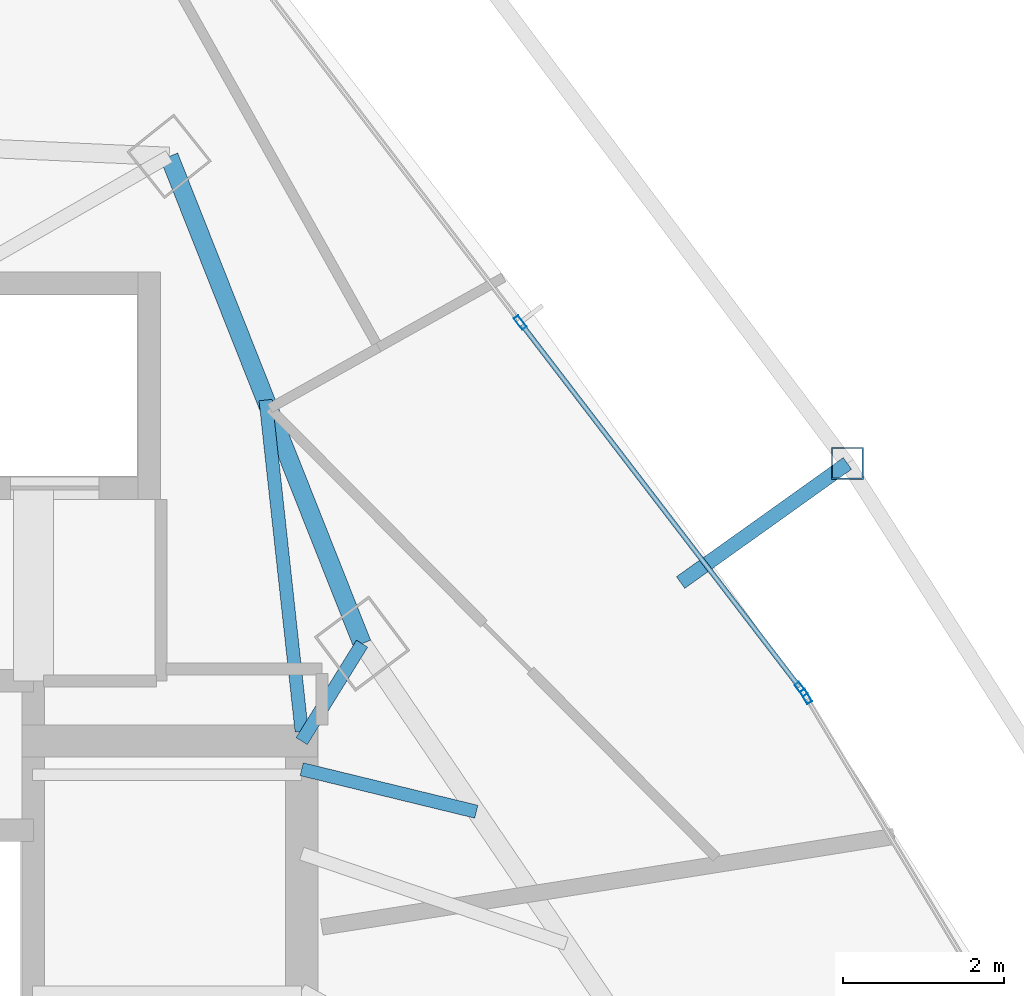
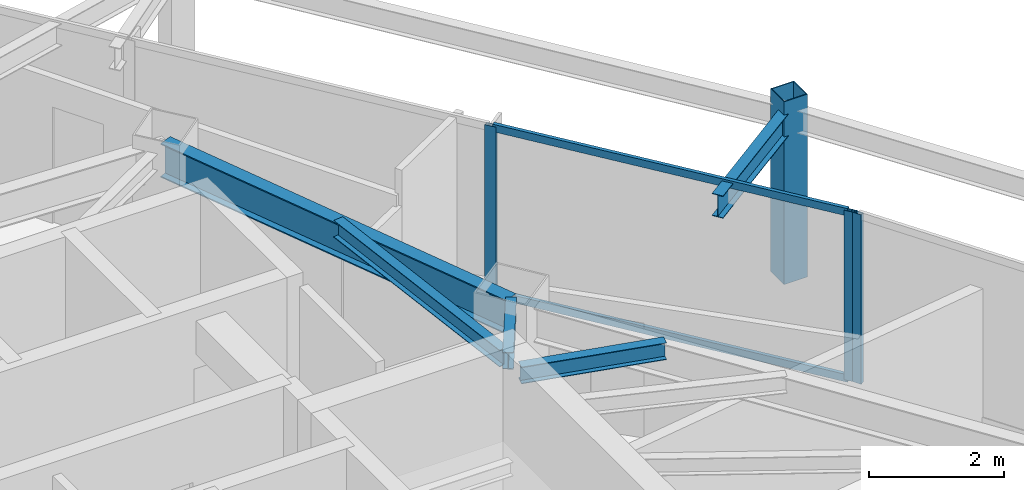
# One storey, part 25 of 33: 6 members, 5 beams, 2 elements without a shape of their own.
"""IFC4 building model written with IfcOpenShell, lengths in metres."""

from ifc_helpers import new_model, si_unit, direction, frame, origin, origin_2d, place, context, subcontext, project, spatial, hollow_rectangle, i_section, extrude, material, layer, layer_set, material_profile, profile_set, type_object, element, aggregate, save


model = new_model("IFC4")

# Units and contexts
model_context = context("Model", 3, precision=1e-05, world=origin(), true_north=direction((0.0, 1.0)))
body_context = subcontext(model_context, "Body", "Model", "MODEL_VIEW")
ifc_project = project(units=[si_unit("LENGTHUNIT", "METRE"), si_unit("AREAUNIT", "SQUARE_METRE"), si_unit("VOLUMEUNIT", "CUBIC_METRE"), si_unit("PLANEANGLEUNIT", "RADIAN"), si_unit("MASSUNIT", "GRAM", prefix="KILO")], contexts=[model_context])

# Site, building, storey
site_placement = place(None, origin())
site = spatial("IfcSite", under=ifc_project, at=site_placement, CompositionType="ELEMENT")
building_placement = place(site_placement, origin())
building = spatial("IfcBuilding", under=site, at=building_placement, Name="Orvanel Arch Residences", CompositionType="ELEMENT")
storey_placement = place(building_placement, frame((0.0, 0.0, 116.60009765625)))
storey = spatial("IfcBuildingStorey", under=building, at=storey_placement, Name="L32", CompositionType="ELEMENT", Elevation=116.60009765625)

# Beams
ifc_material_1 = material(Name="Structural steel AS/NZS 3679.1 Grade 300 (300 MPa)", Category="steel")
ifc_material_profile_1 = material_profile(ifc_material_1, i_section(OverallWidth=0.1650390625, OverallDepth=0.303955078125, WebThickness=0.006103515625, FlangeThickness=0.01025390625, at=origin_2d()), Name="310UB40.4")
ifc_profile_set_1 = profile_set([ifc_material_profile_1], Name="Structural steel AS/NZS 3679.1 Grade 300 (300 MPa)")
beam_type_1 = type_object("IfcBeamType", Name="BJ-310UB", PredefinedType="JOIST", material=ifc_profile_set_1)
beam_1_placement = place(storey_placement, frame((39.60009765625, 33.89990234375, 2.907958984375), z_axis=(0.526843290616, 0.84996243866, 0.0), x_axis=(-0.84996243866, 0.526843290616, 0.0)))
element("IfcBeam", 1, at=beam_1_placement, inside=storey, type_object=beam_type_1, Name="L32 NNE Wing Floor Joist", PredefinedType="JOIST", context=body_context, shape_type="SweptSolid", body=[
    extrude(i_section(OverallWidth=0.1650390625, OverallDepth=0.303955078125, WebThickness=0.006103515625, FlangeThickness=0.01025390625, at=origin_2d()), origin(), (0.0, 0.0, 1.0), 1.42724609375),
])
beam_2_placement = place(storey_placement, frame((39.60009765625, 34.02001953125, 2.907958984375), z_axis=(-0.108261441852, 0.99412245735, 0.0), x_axis=(-0.99412245735, -0.108261441852, 0.0)))
element("IfcBeam", 2, at=beam_2_placement, inside=storey, type_object=beam_type_1, Name="L32 NNE2 Wing Floor Joist", PredefinedType="JOIST", context=body_context, shape_type="SweptSolid", body=[
    extrude(i_section(OverallWidth=0.1650390625, OverallDepth=0.303955078125, WebThickness=0.006103515625, FlangeThickness=0.01025390625, at=origin_2d()), origin(), (0.0, 0.0, 1.0), 4.1494140625),
])
beam_3_placement = place(storey_placement, frame((39.60009765625, 33.550048828125, 2.907958984375), z_axis=(0.971638471014, -0.236471312521, 0.0), x_axis=(0.236471312521, 0.971638471014, 0.0)))
element("IfcBeam", 3, at=beam_3_placement, inside=storey, type_object=beam_type_1, Name="L32 JADD4 Wing Floor Joist", PredefinedType="JOIST", context=body_context, shape_type="SweptSolid", body=[
    extrude(i_section(OverallWidth=0.1650390625, OverallDepth=0.303955078125, WebThickness=0.006103515625, FlangeThickness=0.01025390625, at=origin_2d()), origin(), (0.0, 0.0, 1.0), 2.2373046875),
])

# Curtain wall, member
ifc_material_2 = material(Name="Bronze-anodised aluminium AA6063-T6", Category="aluminium")
ifc_layer = layer(ifc_material_2, 0.179931640625)
ifc_layer_set = layer_set([ifc_layer], Name="Bronze-anodised aluminium AA6063-T6")
curtain_wall_type = type_object("IfcCurtainWallType", Name="CW3-MID-SYS", PredefinedType="NOTDEFINED", material=ifc_layer_set)
curtain_wall_1_placement = place(storey_placement, origin())
curtain_wall_1 = element("IfcCurtainWall", 4, at=curtain_wall_1_placement, inside=storey, type_object=curtain_wall_type, Name="L32 CW3-MID-SYS Unitised Curtain Wall", PredefinedType="NOTDEFINED")
ifc_material_profile_2 = material_profile(ifc_material_2, hollow_rectangle(XDim=0.070068359375, YDim=0.179931640625, WallThickness=0.00439453125, at=origin_2d()), Name="ALU180x70x4.5")
ifc_profile_set_2 = profile_set([ifc_material_profile_2], Name="Bronze-anodised aluminium AA6063-T6")
member_type_1 = type_object("IfcMemberType", Name="MUL-180x70", PredefinedType="MULLION", material=ifc_profile_set_2)
member_1_placement = place(storey_placement, frame((45.8779296875, 34.455078125, 0.0), z_axis=(0.0, 0.0, 1.0), x_axis=(-0.857515978834, -0.514457331608, 0.0)))
member_1 = element("IfcMember", 5, at=member_1_placement, type_object=member_type_1, Name="CW-S3 mullion 3", PredefinedType="MULLION", context=body_context, shape_type="SweptSolid", body=[
    extrude(hollow_rectangle(XDim=0.070068359375, YDim=0.179931640625, WallThickness=0.00439453125, at=origin_2d()), origin(), (0.0, 0.0, 1.0), 3.059814453125),
])
aggregate(curtain_wall_1, [member_1])

# Curtain wall, members
curtain_wall_2_placement = place(storey_placement, origin())
curtain_wall_2 = element("IfcCurtainWall", 6, at=curtain_wall_2_placement, inside=storey, type_object=curtain_wall_type, Name="L32 CW3-MID-SYS Unitised Curtain Wall", PredefinedType="NOTDEFINED")
member_2_placement = place(storey_placement, frame((45.816650390625, 34.5458984375, 0.0), z_axis=(0.0, 0.0, 1.0), x_axis=(-0.793866900823, -0.608091558713, 0.0)))
member_2 = element("IfcMember", 7, at=member_2_placement, type_object=member_type_1, Name="CW-S3 mullion 1", PredefinedType="MULLION", context=body_context, shape_type="SweptSolid", body=[
    extrude(hollow_rectangle(XDim=0.070068359375, YDim=0.179931640625, WallThickness=0.00439453125, at=origin_2d()), origin(), (0.0, 0.0, 1.0), 3.059814453125),
])
member_3_placement = place(storey_placement, frame((42.3203125, 39.1103515625, 0.0), z_axis=(0.0, 0.0, 1.0), x_axis=(-0.793866900823, -0.608091558713, 0.0)))
member_3 = element("IfcMember", 8, at=member_3_placement, type_object=member_type_1, Name="CW-S3 mullion 2", PredefinedType="MULLION", context=body_context, shape_type="SweptSolid", body=[
    extrude(hollow_rectangle(XDim=0.070068359375, YDim=0.179931640625, WallThickness=0.00439453125, at=origin_2d()), origin(), (0.0, 0.0, 1.0), 3.059814453125),
])

# Beams
ifc_material_profile_3 = material_profile(ifc_material_1, i_section(OverallWidth=0.177978515625, OverallDepth=0.406005859375, WebThickness=0.0078125, FlangeThickness=0.0126953125, at=origin_2d()), Name="410UB59.7")
ifc_profile_set_3 = profile_set([ifc_material_profile_3], Name="Structural steel AS/NZS 3679.1 Grade 300 (300 MPa)")
beam_type_2 = type_object("IfcBeamType", Name="OB-410UB-EXT", PredefinedType="SPANDREL", material=ifc_profile_set_3)
beam_4_placement = place(storey_placement, frame((44.31689453125, 35.8740234375, 2.85693359375), z_axis=(0.813798156004, 0.581147624347, 0.0), x_axis=(-0.581147624347, 0.813798156004, 0.0)))
element("IfcBeam", 9, at=beam_4_placement, inside=storey, type_object=beam_type_2, Name="L32 Outer Frame Radial Tie Beam 11", PredefinedType="SPANDREL", context=body_context, shape_type="SweptSolid", body=[
    extrude(i_section(OverallWidth=0.177978515625, OverallDepth=0.406005859375, WebThickness=0.0078125, FlangeThickness=0.0126953125, at=origin_2d()), origin(), (0.0, 0.0, 1.0), 2.550048828125),
])
ifc_material_profile_4 = material_profile(ifc_material_1, i_section(OverallWidth=0.22900390625, OverallDepth=0.612060546875, WebThickness=0.011962890625, FlangeThickness=0.01953125, at=origin_2d()), Name="610UB125")
ifc_profile_set_4 = profile_set([ifc_material_profile_4], Name="Structural steel AS/NZS 3679.1 Grade 300 (300 MPa)")
beam_type_3 = type_object("IfcBeamType", Name="SP-610UB", PredefinedType="SPANDREL", material=ifc_profile_set_4)
beam_5_placement = place(storey_placement, frame((40.35205078125, 35.113037109375, 2.75390625), z_axis=(-0.368233143579, 0.929733484376, 0.0), x_axis=(-0.929733484376, -0.368233143579, 0.0)))
element("IfcBeam", 10, at=beam_5_placement, inside=storey, type_object=beam_type_3, Name="L32 Perimeter Spandrel Beam 13", PredefinedType="SPANDREL", context=body_context, shape_type="SweptSolid", body=[
    extrude(i_section(OverallWidth=0.22900390625, OverallDepth=0.612060546875, WebThickness=0.011962890625, FlangeThickness=0.01953125, at=origin_2d()), origin(), (0.0, 0.0, 1.0), 6.523193359375),
])

# Member
ifc_material_3 = material(Name="Structural steel AS/NZS 1163 C450L0 (Grade 450)", Category="steel")
ifc_material_profile_5 = material_profile(ifc_material_3, hollow_rectangle(XDim=0.39990234375, YDim=0.39990234375, WallThickness=0.01611328125, at=origin_2d()), Name="SHS400x400x16")
ifc_profile_set_5 = profile_set([ifc_material_profile_5], Name="Structural steel AS/NZS 1163 C450L0 (Grade 450)")
member_type_2 = type_object("IfcMemberType", Name="ST-400SHS-EXT", PredefinedType="STRUT", material=ifc_profile_set_5)
member_4_placement = place(storey_placement, frame((46.39208984375, 37.35595703125, 0.0), z_axis=(0.0, 0.0, 1.0), x_axis=(1.0, 0.0, 0.0)))
element("IfcMember", 11, at=member_4_placement, inside=storey, type_object=member_type_2, Name="L32 Outer Perimeter Frame Post 11", PredefinedType="STRUT", context=body_context, shape_type="SweptSolid", body=[
    extrude(hollow_rectangle(XDim=0.39990234375, YDim=0.39990234375, WallThickness=0.01611328125, at=origin_2d()), origin(), (0.0, 0.0, 1.0), 3.2998046875),
])

ifc_material_profile_6 = material_profile(ifc_material_2, hollow_rectangle(XDim=0.06005859375, YDim=0.135009765625, WallThickness=0.00390625, at=origin_2d()), Name="ALU135x60x4")
ifc_profile_set_6 = profile_set([ifc_material_profile_6], Name="Bronze-anodised aluminium AA6063-T6")
member_type_3 = type_object("IfcMemberType", Name="TRN-135x60", PredefinedType="USERDEFINED", material=ifc_profile_set_6)
member_5_placement = place(storey_placement, frame((45.79541015625, 34.573486328125, 0.02978515625), z_axis=(-0.608091287366, 0.793867108671, 0.0), x_axis=(-0.793867108671, -0.608091287366, 0.0)))
member_5 = element("IfcMember", 12, at=member_5_placement, type_object=member_type_3, Name="CW-S3 transom 1.1", ObjectType="TRANSOM", PredefinedType="USERDEFINED", context=body_context, shape_type="SweptSolid", body=[
    extrude(hollow_rectangle(XDim=0.06005859375, YDim=0.135009765625, WallThickness=0.00390625, at=origin_2d()), origin(), (0.0, 0.0, 1.0), 5.679931640625),
])

member_6_placement = place(storey_placement, frame((45.79541015625, 34.573486328125, 3.02978515625), z_axis=(-0.608091287366, 0.793867108671, 0.0), x_axis=(-0.793867108671, -0.608091287366, 0.0)))
member_6 = element("IfcMember", 13, at=member_6_placement, type_object=member_type_3, Name="CW-S3 transom 1.2", ObjectType="TRANSOM", PredefinedType="USERDEFINED", context=body_context, shape_type="SweptSolid", body=[
    extrude(hollow_rectangle(XDim=0.06005859375, YDim=0.135009765625, WallThickness=0.00390625, at=origin_2d()), origin(), (0.0, 0.0, 1.0), 5.679931640625),
])

aggregate(curtain_wall_2, [member_2, member_3, member_5, member_6])

save(model, "model.ifc")
